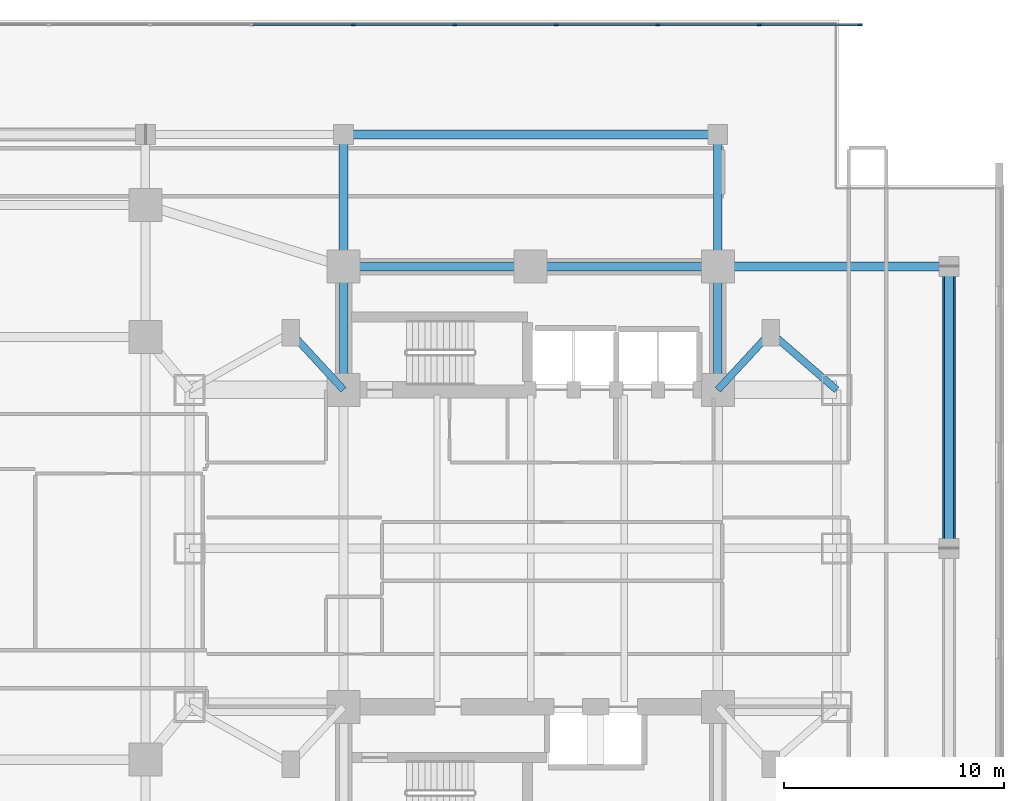
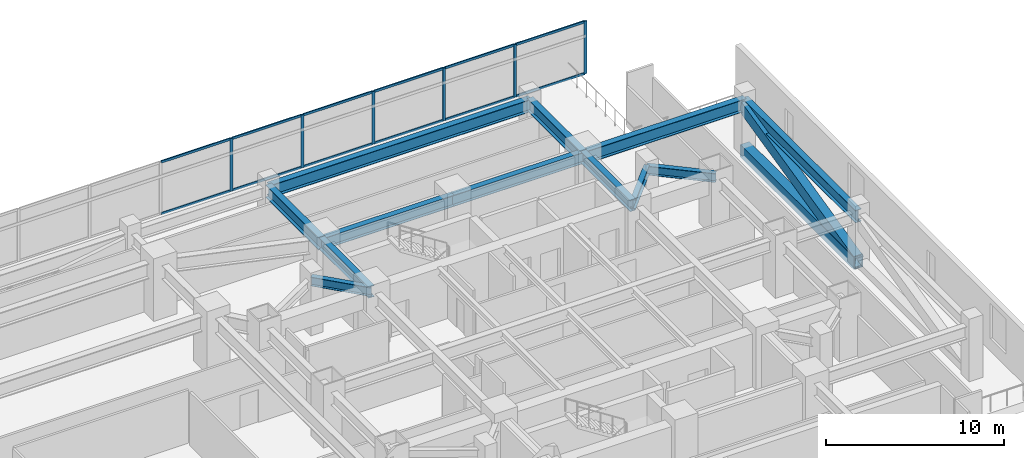
# One storey, part 9 of 27: 20 members, 12 beams, 1 element without a shape of its own.
"""IFC4 building model written with IfcOpenShell, lengths in metres."""

from ifc_helpers import new_model, si_unit, direction, frame, origin, origin_2d, place, context, subcontext, project, spatial, rectangle, hollow_rectangle, i_section, extrude, material, material_profile, profile_set, type_object, element, aggregate, save


model = new_model("IFC4")

# Units and contexts
model_context = context("Model", 3, precision=1e-05, world=origin(), true_north=direction((0.0, 1.0)))
body_context = subcontext(model_context, "Body", "Model", "MODEL_VIEW")
ifc_project = project(units=[si_unit("LENGTHUNIT", "METRE"), si_unit("AREAUNIT", "SQUARE_METRE"), si_unit("VOLUMEUNIT", "CUBIC_METRE"), si_unit("PLANEANGLEUNIT", "RADIAN"), si_unit("MASSUNIT", "GRAM", prefix="KILO")], contexts=[model_context])

# Site, building, storey
site_placement = place(None, origin())
site = spatial("IfcSite", under=ifc_project, at=site_placement, CompositionType="ELEMENT")
building_placement = place(site_placement, origin())
building = spatial("IfcBuilding", under=site, at=building_placement, Name="Mirazonda Arch Towers", CompositionType="ELEMENT")
storey_placement = place(building_placement, frame((0.0, 0.0, 18.10009765625)))
storey = spatial("IfcBuildingStorey", under=building, at=storey_placement, Name="L04", CompositionType="ELEMENT", Elevation=18.10009765625)

# Beams
ifc_material_1 = material(Name="Steel ASTM A992 Grade 50", Category="steel")
ifc_material_profile_1 = material_profile(ifc_material_1, i_section(OverallWidth=0.39990234375, OverallDepth=0.85595703125, WebThickness=0.018310546875, FlangeThickness=0.029296875, at=origin_2d()), Name="W33X201")
ifc_profile_set_1 = profile_set([ifc_material_profile_1], Name="Steel ASTM A992 Grade 50")
beam_type_1 = type_object("IfcBeamType", Name="BM-EXT-W33X201", PredefinedType="USERDEFINED", material=ifc_profile_set_1)
beam_1_placement = place(storey_placement, frame((68.0, 46.800048828125, 3.221923828125), z_axis=(1.0, 0.0, 0.0), x_axis=(0.0, 1.0, 0.0)))
element("IfcBeam", 1, at=beam_1_placement, inside=storey, type_object=beam_type_1, Name="L04 Floor Beam BM-POD-L04-PN-5", ObjectType="GIRDER", PredefinedType="USERDEFINED", context=body_context, shape_type="SweptSolid", body=[
    extrude(i_section(OverallWidth=0.39990234375, OverallDepth=0.85595703125, WebThickness=0.018310546875, FlangeThickness=0.029296875, at=origin_2d()), origin(), (0.0, 0.0, 1.0), 17.0),
])
beam_2_placement = place(storey_placement, frame((95.5, 28.0, 3.221923828125), z_axis=(0.0, 1.0, 0.0), x_axis=(-1.0, 0.0, 0.0)))
element("IfcBeam", 2, at=beam_2_placement, inside=storey, type_object=beam_type_1, Name="L04 Floor Beam BM-POD-L04-PE-2", ObjectType="GIRDER", PredefinedType="USERDEFINED", context=body_context, shape_type="SweptSolid", body=[
    extrude(i_section(OverallWidth=0.39990234375, OverallDepth=0.85595703125, WebThickness=0.018310546875, FlangeThickness=0.029296875, at=origin_2d()), origin(), (0.0, 0.0, 1.0), 12.800048828125),
])
ifc_material_profile_2 = material_profile(ifc_material_1, i_section(OverallWidth=0.324951171875, OverallDepth=0.615966796875, WebThickness=0.013916015625, FlangeThickness=0.021484375, at=origin_2d()), Name="W24X117")
ifc_profile_set_2 = profile_set([ifc_material_profile_2], Name="Steel ASTM A992 Grade 50")
beam_type_2 = type_object("IfcBeamType", Name="BM-INT-W24X117", PredefinedType="BEAM", material=ifc_profile_set_2)
for number, where, z_axis, x_axis, name in (
    (3, (65.60009765625, 37.800048828125, 3.341796875), (0.678251444854, -0.734829897019, 0.0), (0.734829897019, 0.678251444854, 0.0), "L04 Floor Beam BM-T2-L04-PL-NW1"),
    (4, (87.39990234375, 37.800048828125, 3.341796875), (-0.678251444854, -0.734829897019, 0.0), (0.734829897019, -0.678251444854, 0.0), "L04 Floor Beam BM-T2-L04-PL-NE1"),
):
    element("IfcBeam", number, at=place(storey_placement, frame(where, z_axis=z_axis, x_axis=x_axis)), inside=storey, type_object=beam_type_2, Name=name, PredefinedType="BEAM", context=body_context, shape_type="SweptSolid", body=[
        extrude(i_section(OverallWidth=0.324951171875, OverallDepth=0.615966796875, WebThickness=0.013916015625, FlangeThickness=0.021484375, at=origin_2d()), origin(), (0.0, 0.0, 1.0), 3.538330078125),
    ])
beam_3_placement = place(storey_placement, frame((87.39990234375, 37.800048828125, 3.341796875), z_axis=(0.755676908098, -0.654944585876, 0.0), x_axis=(0.654944585876, 0.755676908098, 0.0)))
element("IfcBeam", 5, at=beam_3_placement, inside=storey, type_object=beam_type_2, Name="L04 Floor Beam BM-T2-L04-PL-NE2", PredefinedType="BEAM", context=body_context, shape_type="SweptSolid", body=[
    extrude(i_section(OverallWidth=0.324951171875, OverallDepth=0.615966796875, WebThickness=0.013916015625, FlangeThickness=0.021484375, at=origin_2d()), origin(), (0.0, 0.0, 1.0), 3.969970703125),
])
ifc_material_profile_3 = material_profile(ifc_material_1, i_section(OverallWidth=0.381103515625, OverallDepth=0.77294921875, WebThickness=0.0166015625, FlangeThickness=0.027099609375, at=origin_2d()), Name="W30X173")
ifc_profile_set_3 = profile_set([ifc_material_profile_3], Name="Steel ASTM A992 Grade 50")
beam_type_3 = type_object("IfcBeamType", Name="BM-INT-W30X173", PredefinedType="USERDEFINED", material=ifc_profile_set_3)
for number, where, z_axis, x_axis, name in (
    (6, (68.0, 40.800048828125, 3.263427734375), (1.0, 0.0, 0.0), (0.0, 1.0, 0.0), "L04 Floor Beam BM-T2-L04-CN1"),
    (7, (76.5, 40.800048828125, 3.263427734375), (1.0, 0.0, 0.0), (0.0, 1.0, 0.0), "L04 Floor Beam BM-T2-L04-CN2"),
):
    element("IfcBeam", number, at=place(storey_placement, frame(where, z_axis=z_axis, x_axis=x_axis)), inside=storey, type_object=beam_type_3, Name=name, ObjectType="GIRDER", PredefinedType="USERDEFINED", context=body_context, shape_type="SweptSolid", body=[
        extrude(i_section(OverallWidth=0.381103515625, OverallDepth=0.77294921875, WebThickness=0.0166015625, FlangeThickness=0.027099609375, at=origin_2d()), origin(), (0.0, 0.0, 1.0), 8.5),
    ])
for number, where, z_axis, x_axis, name in (
    (8, (68.0, 35.199951171875, 3.263427734375), (0.0, 1.0, 0.0), (-1.0, 0.0, 0.0), "L04 Floor Beam BM-T2-L04-CNW"),
    (9, (85.0, 35.199951171875, 3.263427734375), (0.0, 1.0, 0.0), (-1.0, 0.0, 0.0), "L04 Floor Beam BM-T2-L04-CNE"),
):
    element("IfcBeam", number, at=place(storey_placement, frame(where, z_axis=z_axis, x_axis=x_axis)), inside=storey, type_object=beam_type_3, Name=name, ObjectType="GIRDER", PredefinedType="USERDEFINED", context=body_context, shape_type="SweptSolid", body=[
        extrude(i_section(OverallWidth=0.381103515625, OverallDepth=0.77294921875, WebThickness=0.0166015625, FlangeThickness=0.027099609375, at=origin_2d()), origin(), (0.0, 0.0, 1.0), 5.60009765625),
    ])
ifc_material_profile_4 = material_profile(ifc_material_1, i_section(OverallWidth=0.39990234375, OverallDepth=0.85595703125, WebThickness=0.018310546875, FlangeThickness=0.029296875, at=origin_2d()), Name="W33X201")
ifc_profile_set_4 = profile_set([ifc_material_profile_4], Name="Steel ASTM A992 Grade 50")
beam_type_4 = type_object("IfcBeamType", Name="BM-INT-W33X201", PredefinedType="USERDEFINED", material=ifc_profile_set_4)
for number, where, z_axis, x_axis, name in (
    (10, (68.0, 40.800048828125, 3.221923828125), (0.0, 1.0, 0.0), (-1.0, 0.0, 0.0), "L04 Floor Beam BM-POD-L04-PCN-6"),
    (11, (85.0, 40.800048828125, 3.221923828125), (0.0, 1.0, 0.0), (-1.0, 0.0, 0.0), "L04 Floor Beam BM-POD-L04-PCN-7"),
):
    element("IfcBeam", number, at=place(storey_placement, frame(where, z_axis=z_axis, x_axis=x_axis)), inside=storey, type_object=beam_type_4, Name=name, ObjectType="GIRDER", PredefinedType="USERDEFINED", context=body_context, shape_type="SweptSolid", body=[
        extrude(i_section(OverallWidth=0.39990234375, OverallDepth=0.85595703125, WebThickness=0.018310546875, FlangeThickness=0.029296875, at=origin_2d()), origin(), (0.0, 0.0, 1.0), 6.0),
    ])
beam_4_placement = place(storey_placement, frame((85.0, 40.800048828125, 3.221923828125), z_axis=(1.0, 0.0, 0.0), x_axis=(0.0, 1.0, 0.0)))
element("IfcBeam", 12, at=beam_4_placement, inside=storey, type_object=beam_type_4, Name="L04 Floor Beam BM-POD-L04-PCE-3", ObjectType="GIRDER", PredefinedType="USERDEFINED", context=body_context, shape_type="SweptSolid", body=[
    extrude(i_section(OverallWidth=0.39990234375, OverallDepth=0.85595703125, WebThickness=0.018310546875, FlangeThickness=0.029296875, at=origin_2d()), origin(), (0.0, 0.0, 1.0), 10.5),
])

# Members
ifc_material_2 = material(Name="Steel ASTM A572 Grade 50", Category="steel")
ifc_material_profile_5 = material_profile(ifc_material_2, hollow_rectangle(XDim=0.60009765625, YDim=0.85009765625, WallThickness=0.048095703125, at=origin_2d()), Name="BELTCHORD850x600x48")
ifc_profile_set_5 = profile_set([ifc_material_profile_5], Name="Steel ASTM A572 Grade 50")
member_type_1 = type_object("IfcMemberType", Name="MBR-INT-BELTCHORD850x600x48", PredefinedType="CHORD", material=ifc_profile_set_5)
member_1_placement = place(storey_placement, frame((95.5, 28.0, 0.0498046875), z_axis=(0.0, 1.0, 0.0), x_axis=(-1.0, 0.0, 0.0)))
element("IfcMember", 13, at=member_1_placement, inside=storey, type_object=member_type_1, Name="L04 Transfer Truss Bottom Chord 04", PredefinedType="CHORD", context=body_context, shape_type="SweptSolid", body=[
    extrude(hollow_rectangle(XDim=0.60009765625, YDim=0.85009765625, WallThickness=0.048095703125, at=origin_2d()), origin(), (0.0, 0.0, 1.0), 12.800048828125),
])
ifc_material_profile_6 = material_profile(ifc_material_2, hollow_rectangle(XDim=0.550048828125, YDim=0.800048828125, WallThickness=0.044921875, at=origin_2d()), Name="OUTRIGGER800x550x45")
ifc_profile_set_6 = profile_set([ifc_material_profile_6], Name="Steel ASTM A572 Grade 50")
member_type_2 = type_object("IfcMemberType", Name="MBR-INT-OUTRIGGER800x550x45", PredefinedType="BRACE", material=ifc_profile_set_6)
member_2_placement = place(storey_placement, frame((95.5, 28.0, 0.0498046875), z_axis=(0.0, 0.973616503962, 0.228190497638), x_axis=(-1.0, 0.0, 0.0)))
element("IfcMember", 14, at=member_2_placement, inside=storey, type_object=member_type_2, Name="L04 Transfer Truss Diagonal 04A", PredefinedType="BRACE", context=body_context, shape_type="SweptSolid", body=[
    extrude(hollow_rectangle(XDim=0.550048828125, YDim=0.800048828125, WallThickness=0.044921875, at=origin_2d()), origin(), (0.0, 0.0, 1.0), 13.14697265625),
])

# Curtain wall, members
ifc_material_3 = material(Name="Anodised Aluminium and Low-E Glass", Category="aluminium")
curtain_wall_type = type_object("IfcCurtainWallType", Name="CW-POD-STORE", PredefinedType="NOTDEFINED", material=ifc_material_3)
curtain_wall_placement = place(storey_placement, origin())
curtain_wall = element("IfcCurtainWall", 15, at=curtain_wall_placement, inside=storey, type_object=curtain_wall_type, Name="L04 Curtain Wall CW-L04-N1", PredefinedType="NOTDEFINED")
ifc_material_4 = material(Name="Anodised Aluminium Alloy", Category="aluminium")
ifc_material_profile_7 = material_profile(ifc_material_4, rectangle(XDim=0.080078125, YDim=0.179931640625, at=origin_2d()), Name="ALU-MULL-80x180")
ifc_profile_set_7 = profile_set([ifc_material_profile_7], Name="Anodised Aluminium Alloy")
member_type_3 = type_object("IfcMemberType", Name="MULL-CW-POD-STORE", PredefinedType="MULLION", material=ifc_profile_set_7)
member_3_placement = place(storey_placement, frame((68.4443359375, 51.780029296875, 0.0), z_axis=(0.0, 0.0, 1.0), x_axis=(0.0, 1.0, 0.0)))
member_3 = element("IfcMember", 16, at=member_3_placement, type_object=member_type_3, Name="CW-102 mullion 14", PredefinedType="MULLION", context=body_context, shape_type="SweptSolid", body=[
    extrude(rectangle(XDim=0.080078125, YDim=0.179931640625, at=origin_2d()), origin(), (0.0, 0.0, 1.0), 3.6298828125),
])
member_4_placement = place(storey_placement, frame((73.0556640625, 51.780029296875, 0.0), z_axis=(0.0, 0.0, 1.0), x_axis=(0.0, 1.0, 0.0)))
member_4 = element("IfcMember", 17, at=member_4_placement, type_object=member_type_3, Name="CW-102 mullion 15", PredefinedType="MULLION", context=body_context, shape_type="SweptSolid", body=[
    extrude(rectangle(XDim=0.080078125, YDim=0.179931640625, at=origin_2d()), origin(), (0.0, 0.0, 1.0), 3.6298828125),
])
member_5_placement = place(storey_placement, frame((77.666748046875, 51.780029296875, 0.0), z_axis=(0.0, 0.0, 1.0), x_axis=(0.0, 1.0, 0.0)))
member_5 = element("IfcMember", 18, at=member_5_placement, type_object=member_type_3, Name="CW-102 mullion 16", PredefinedType="MULLION", context=body_context, shape_type="SweptSolid", body=[
    extrude(rectangle(XDim=0.080078125, YDim=0.179931640625, at=origin_2d()), origin(), (0.0, 0.0, 1.0), 3.6298828125),
])
member_6_placement = place(storey_placement, frame((82.27783203125, 51.780029296875, 0.0), z_axis=(0.0, 0.0, 1.0), x_axis=(0.0, 1.0, 0.0)))
member_6 = element("IfcMember", 19, at=member_6_placement, type_object=member_type_3, Name="CW-102 mullion 17", PredefinedType="MULLION", context=body_context, shape_type="SweptSolid", body=[
    extrude(rectangle(XDim=0.080078125, YDim=0.179931640625, at=origin_2d()), origin(), (0.0, 0.0, 1.0), 3.6298828125),
])
member_7_placement = place(storey_placement, frame((86.888916015625, 51.780029296875, 0.0), z_axis=(0.0, 0.0, 1.0), x_axis=(0.0, 1.0, 0.0)))
member_7 = element("IfcMember", 20, at=member_7_placement, type_object=member_type_3, Name="CW-102 mullion 18", PredefinedType="MULLION", context=body_context, shape_type="SweptSolid", body=[
    extrude(rectangle(XDim=0.080078125, YDim=0.179931640625, at=origin_2d()), origin(), (0.0, 0.0, 1.0), 3.6298828125),
])
member_8_placement = place(storey_placement, frame((91.4599609375, 51.780029296875, 0.0), z_axis=(0.0, 0.0, 1.0), x_axis=(0.0, 1.0, 0.0)))
member_8 = element("IfcMember", 21, at=member_8_placement, type_object=member_type_3, Name="CW-102 mullion 19", PredefinedType="MULLION", context=body_context, shape_type="SweptSolid", body=[
    extrude(rectangle(XDim=0.080078125, YDim=0.179931640625, at=origin_2d()), origin(), (0.0, 0.0, 1.0), 3.6298828125),
])
ifc_material_profile_8 = material_profile(ifc_material_4, rectangle(XDim=0.080078125, YDim=0.159912109375, at=origin_2d()), Name="ALU-TRAN-80x160")
ifc_profile_set_8 = profile_set([ifc_material_profile_8], Name="Anodised Aluminium Alloy")
member_type_4 = type_object("IfcMemberType", Name="TRAN-CW-POD-STORE", PredefinedType="USERDEFINED", material=ifc_profile_set_8)
member_9_placement = place(storey_placement, frame((63.873291015625, 51.780029296875, 0.039794921875), z_axis=(1.0, 0.0, 0.0), x_axis=(0.0, 1.0, 0.0)))
member_9 = element("IfcMember", 22, at=member_9_placement, type_object=member_type_4, Name="CW-102 transom 13.1", ObjectType="TRANSOM", PredefinedType="USERDEFINED", context=body_context, shape_type="SweptSolid", body=[
    extrude(rectangle(XDim=0.080078125, YDim=0.159912109375, at=origin_2d()), origin(), (0.0, 0.0, 1.0), 4.53125),
])
member_10_placement = place(storey_placement, frame((63.873291015625, 51.780029296875, 3.58984375), z_axis=(1.0, 0.0, 0.0), x_axis=(0.0, 1.0, 0.0)))
member_10 = element("IfcMember", 23, at=member_10_placement, type_object=member_type_4, Name="CW-102 transom 13.2", ObjectType="TRANSOM", PredefinedType="USERDEFINED", context=body_context, shape_type="SweptSolid", body=[
    extrude(rectangle(XDim=0.080078125, YDim=0.159912109375, at=origin_2d()), origin(), (0.0, 0.0, 1.0), 4.53125),
])
member_11_placement = place(storey_placement, frame((68.484375, 51.780029296875, 0.039794921875), z_axis=(1.0, 0.0, 0.0), x_axis=(0.0, 1.0, 0.0)))
member_11 = element("IfcMember", 24, at=member_11_placement, type_object=member_type_4, Name="CW-102 transom 14.1", ObjectType="TRANSOM", PredefinedType="USERDEFINED", context=body_context, shape_type="SweptSolid", body=[
    extrude(rectangle(XDim=0.080078125, YDim=0.159912109375, at=origin_2d()), origin(), (0.0, 0.0, 1.0), 4.53125),
])
member_12_placement = place(storey_placement, frame((68.484375, 51.780029296875, 3.58984375), z_axis=(1.0, 0.0, 0.0), x_axis=(0.0, 1.0, 0.0)))
member_12 = element("IfcMember", 25, at=member_12_placement, type_object=member_type_4, Name="CW-102 transom 14.2", ObjectType="TRANSOM", PredefinedType="USERDEFINED", context=body_context, shape_type="SweptSolid", body=[
    extrude(rectangle(XDim=0.080078125, YDim=0.159912109375, at=origin_2d()), origin(), (0.0, 0.0, 1.0), 4.53125),
])
member_13_placement = place(storey_placement, frame((73.095458984375, 51.780029296875, 0.039794921875), z_axis=(1.0, 0.0, 0.0), x_axis=(0.0, 1.0, 0.0)))
member_13 = element("IfcMember", 26, at=member_13_placement, type_object=member_type_4, Name="CW-102 transom 15.1", ObjectType="TRANSOM", PredefinedType="USERDEFINED", context=body_context, shape_type="SweptSolid", body=[
    extrude(rectangle(XDim=0.080078125, YDim=0.159912109375, at=origin_2d()), origin(), (0.0, 0.0, 1.0), 4.53125),
])
member_14_placement = place(storey_placement, frame((73.095458984375, 51.780029296875, 3.58984375), z_axis=(1.0, 0.0, 0.0), x_axis=(0.0, 1.0, 0.0)))
member_14 = element("IfcMember", 27, at=member_14_placement, type_object=member_type_4, Name="CW-102 transom 15.2", ObjectType="TRANSOM", PredefinedType="USERDEFINED", context=body_context, shape_type="SweptSolid", body=[
    extrude(rectangle(XDim=0.080078125, YDim=0.159912109375, at=origin_2d()), origin(), (0.0, 0.0, 1.0), 4.53125),
])
member_15_placement = place(storey_placement, frame((77.706787109375, 51.780029296875, 0.039794921875), z_axis=(1.0, 0.0, 0.0), x_axis=(0.0, 1.0, 0.0)))
member_15 = element("IfcMember", 28, at=member_15_placement, type_object=member_type_4, Name="CW-102 transom 16.1", ObjectType="TRANSOM", PredefinedType="USERDEFINED", context=body_context, shape_type="SweptSolid", body=[
    extrude(rectangle(XDim=0.080078125, YDim=0.159912109375, at=origin_2d()), origin(), (0.0, 0.0, 1.0), 4.531005859375),
])
member_16_placement = place(storey_placement, frame((77.706787109375, 51.780029296875, 3.58984375), z_axis=(1.0, 0.0, 0.0), x_axis=(0.0, 1.0, 0.0)))
member_16 = element("IfcMember", 29, at=member_16_placement, type_object=member_type_4, Name="CW-102 transom 16.2", ObjectType="TRANSOM", PredefinedType="USERDEFINED", context=body_context, shape_type="SweptSolid", body=[
    extrude(rectangle(XDim=0.080078125, YDim=0.159912109375, at=origin_2d()), origin(), (0.0, 0.0, 1.0), 4.531005859375),
])
member_17_placement = place(storey_placement, frame((82.31787109375, 51.780029296875, 0.039794921875), z_axis=(1.0, 0.0, 0.0), x_axis=(0.0, 1.0, 0.0)))
member_17 = element("IfcMember", 30, at=member_17_placement, type_object=member_type_4, Name="CW-102 transom 17.1", ObjectType="TRANSOM", PredefinedType="USERDEFINED", context=body_context, shape_type="SweptSolid", body=[
    extrude(rectangle(XDim=0.080078125, YDim=0.159912109375, at=origin_2d()), origin(), (0.0, 0.0, 1.0), 4.531005859375),
])
member_18_placement = place(storey_placement, frame((82.31787109375, 51.780029296875, 3.58984375), z_axis=(1.0, 0.0, 0.0), x_axis=(0.0, 1.0, 0.0)))
member_18 = element("IfcMember", 31, at=member_18_placement, type_object=member_type_4, Name="CW-102 transom 17.2", ObjectType="TRANSOM", PredefinedType="USERDEFINED", context=body_context, shape_type="SweptSolid", body=[
    extrude(rectangle(XDim=0.080078125, YDim=0.159912109375, at=origin_2d()), origin(), (0.0, 0.0, 1.0), 4.531005859375),
])
member_19_placement = place(storey_placement, frame((86.928955078125, 51.780029296875, 0.039794921875), z_axis=(1.0, 0.0, 0.0), x_axis=(0.0, 1.0, 0.0)))
member_19 = element("IfcMember", 32, at=member_19_placement, type_object=member_type_4, Name="CW-102 transom 18.1", ObjectType="TRANSOM", PredefinedType="USERDEFINED", context=body_context, shape_type="SweptSolid", body=[
    extrude(rectangle(XDim=0.080078125, YDim=0.159912109375, at=origin_2d()), origin(), (0.0, 0.0, 1.0), 4.490966796875),
])
member_20_placement = place(storey_placement, frame((86.928955078125, 51.780029296875, 3.58984375), z_axis=(1.0, 0.0, 0.0), x_axis=(0.0, 1.0, 0.0)))
member_20 = element("IfcMember", 33, at=member_20_placement, type_object=member_type_4, Name="CW-102 transom 18.2", ObjectType="TRANSOM", PredefinedType="USERDEFINED", context=body_context, shape_type="SweptSolid", body=[
    extrude(rectangle(XDim=0.080078125, YDim=0.159912109375, at=origin_2d()), origin(), (0.0, 0.0, 1.0), 4.490966796875),
])
aggregate(curtain_wall, [member_3, member_4, member_5, member_6, member_7, member_8, member_9, member_10, member_11, member_12, member_13, member_14, member_15, member_16, member_17, member_18, member_19, member_20])

save(model, "model.ifc")
